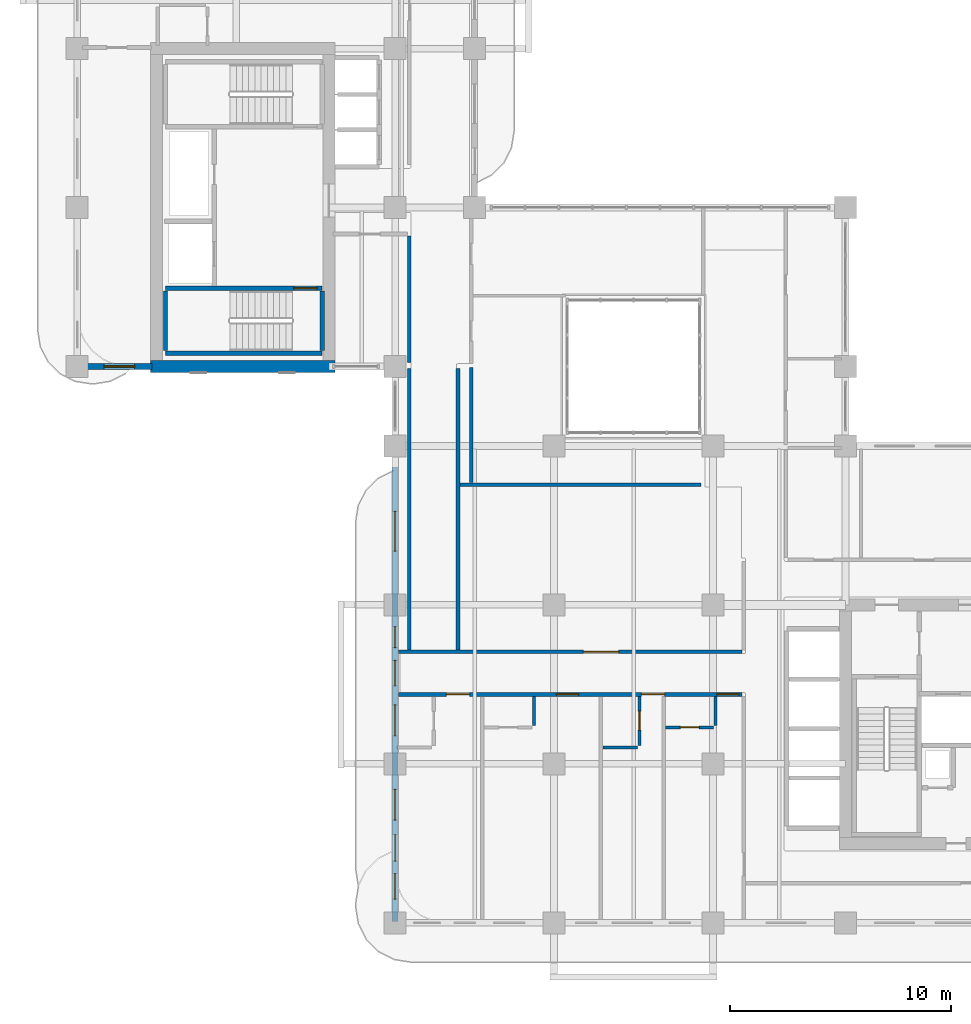
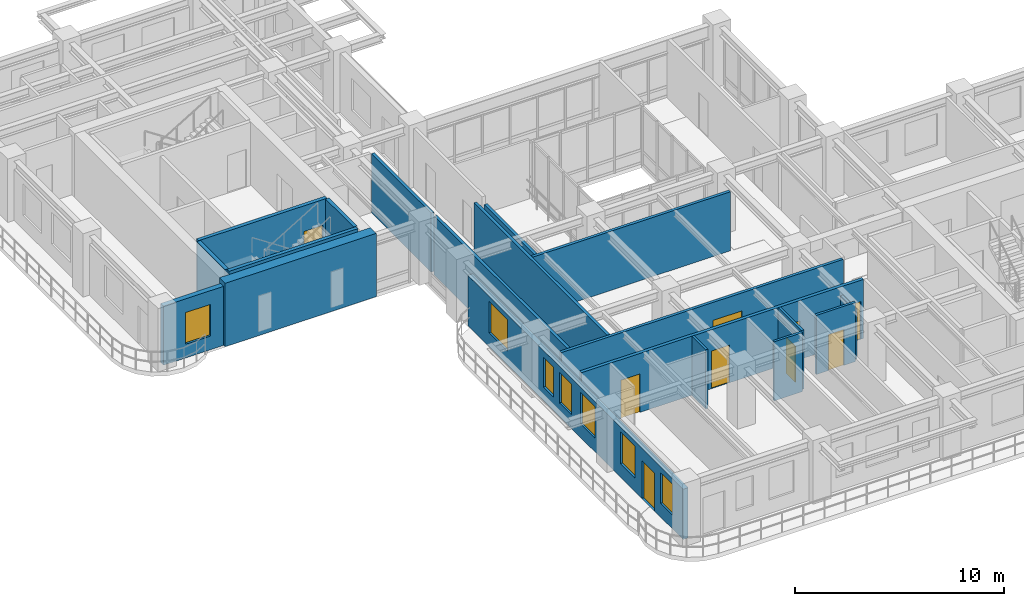
# One storey, part 11 of 20: 19 walls, 9 doors, 7 windows, 16 openings.
"""IFC4 building model written with IfcOpenShell, lengths in metres."""

from ifc_helpers import new_model, si_unit, derived_unit, direction, frame, frame_2d, origin, place, context, subcontext, project, spatial, rectangle, extrude, source, transform, mapped, material, layer, layer_set, type_object, type_shapes, element, fill, save


model = new_model("IFC4")

# Units and contexts
model_context = context("Model", 3, precision=1e-05, world=origin(), true_north=direction((0.0, 1.0)))
body_context = subcontext(model_context, "Body", "Model", "MODEL_VIEW")
ifc_project = project(units=[si_unit("LENGTHUNIT", "METRE"), si_unit("AREAUNIT", "SQUARE_METRE"), si_unit("VOLUMEUNIT", "CUBIC_METRE"), si_unit("PLANEANGLEUNIT", "RADIAN"), si_unit("MASSUNIT", "GRAM", prefix="KILO"), si_unit("THERMODYNAMICTEMPERATUREUNIT", "KELVIN"), si_unit("POWERUNIT", "WATT"), derived_unit("THERMALTRANSMITTANCEUNIT", [(si_unit("POWERUNIT", "WATT"), 1), (si_unit("AREAUNIT", "SQUARE_METRE"), -1), (si_unit("THERMODYNAMICTEMPERATUREUNIT", "KELVIN"), -1)])], contexts=[model_context])

# Site, building, storey
site_placement = place(None, origin())
site = spatial("IfcSite", under=ifc_project, at=site_placement, CompositionType="ELEMENT")
building_placement = place(site_placement, origin())
building = spatial("IfcBuilding", under=site, at=building_placement, Name="Zahravan Archway Hotel and Residences", CompositionType="ELEMENT")
storey_placement = place(building_placement, frame((0.0, 0.0, 119.199951171875)))
storey = spatial("IfcBuildingStorey", under=building, at=storey_placement, Name="L29", CompositionType="ELEMENT", Elevation=119.199951171875)

# Wall
ifc_material_1 = material(Name="Concrete C70/85", Category="concrete")
ifc_layer_1 = layer(ifc_material_1, 0.550048828125, Name="Concrete C70/85", Category="concrete")
ifc_layer_set_1 = layer_set([ifc_layer_1], Name="Concrete C70/85")
wall_type_1 = type_object("IfcWallType", Name="CW-CORE-550", PredefinedType="SHEAR", material=ifc_layer_set_1)
wall_1_placement = place(storey_placement, frame((3.324951171875, 25.199951171875, 0.0), z_axis=(0.0, 0.0, 1.0), x_axis=(1.0, 0.0, 0.0)))
element("IfcWall", 1, at=wall_1_placement, inside=storey, type_object=wall_type_1, Name="L29 Core B Shear S Wall 550 mm", PredefinedType="SHEAR", context=body_context, shape_type="SweptSolid", body=[
    extrude(rectangle(XDim=8.35009765625, YDim=0.550048828125, at=frame_2d((4.175048828125, 0.0))), origin(), (0.0, 0.0, 1.0), 3.699951171875),
])

# Wall, openings, door, windows
ifc_material_2 = material(Name="Honed Red-Ochre Sandstone & Insulated Block", Category="masonry")
ifc_layer_2 = layer(ifc_material_2, 0.280029296875, Name="Honed Red-Ochre Sandstone & Insulated Block", Category="masonry")
ifc_layer_set_2 = layer_set([ifc_layer_2], Name="Honed Red-Ochre Sandstone & Insulated Block")
wall_type_2 = type_object("IfcWallType", Name="EW-LOG-280", PredefinedType="SOLIDWALL", material=ifc_layer_set_2)
wall_2_placement = place(storey_placement, frame((14.39990234375, 0.050048828125, 0.0), z_axis=(0.0, 0.0, 1.0), x_axis=(0.0, 1.0, 0.0)))
wall_2 = element("IfcWall", 2, at=wall_2_placement, inside=storey, type_object=wall_type_2, Name="L29 Exterior Sandstone Wall WA-WL", PredefinedType="SOLIDWALL", context=body_context, shape_type="SweptSolid", body=[
    extrude(rectangle(XDim=20.599853515625, YDim=0.280029296875, at=frame_2d((10.2998046875, 0.0))), origin(), (0.0, 0.0, 1.0), 2.93505859375),
])
opening_1_placement = place(wall_2_placement, frame((2.75, 0.0, 0.0)))
opening_1 = element("IfcOpeningElement", 3, at=opening_1_placement, cuts=wall_2, Name="Opening ED-BL1", PredefinedType="OPENING", context=body_context, shape_type="SweptSolid", body=[
    extrude(rectangle(XDim=1.199951171875, YDim=2.199951171875, at=frame_2d((0.60009765625, 1.10009765625))), frame((0.0, 0.14990234375, 0.0), z_axis=(0.0, -1.0, 0.0), x_axis=(1.0, 0.0, 0.0)), (0.0, 0.0, 1.0), 0.300048828125),
])
opening_2_placement = place(wall_2_placement, frame((1.02490234375, 0.0, 0.800048828125)))
opening_2 = element("IfcOpeningElement", 4, at=opening_2_placement, cuts=wall_2, Name="Opening W-05", PredefinedType="OPENING", context=body_context, shape_type="SweptSolid", body=[
    extrude(rectangle(XDim=1.14990234375, YDim=1.800048828125, at=frame_2d((0.574951171875, 0.89990234375))), frame((0.0, 0.14990234375, 0.0), z_axis=(0.0, -1.0, 0.0), x_axis=(1.0, 0.0, 0.0)), (0.0, 0.0, 1.0), 0.300048828125),
])
opening_3_placement = place(wall_2_placement, frame((4.60009765625, 0.0, 0.800048828125)))
opening_3 = element("IfcOpeningElement", 5, at=opening_3_placement, cuts=wall_2, Name="Opening W-03", PredefinedType="OPENING", context=body_context, shape_type="SweptSolid", body=[
    extrude(rectangle(XDim=1.39990234375, YDim=1.85009765625, at=frame_2d((0.699951171875, 0.925048828125))), frame((0.0, 0.14990234375, 0.0), z_axis=(0.0, -1.0, 0.0), x_axis=(1.0, 0.0, 0.0)), (0.0, 0.0, 1.0), 0.300048828125),
])
opening_4_placement = place(wall_2_placement, frame((8.4208984375, 0.0, 0.800048828125)))
opening_4 = element("IfcOpeningElement", 6, at=opening_4_placement, cuts=wall_2, Name="Opening W-03", PredefinedType="OPENING", context=body_context, shape_type="SweptSolid", body=[
    extrude(rectangle(XDim=1.39990234375, YDim=1.85009765625, at=frame_2d((0.699951171875, 0.925048828125))), frame((0.0, 0.14990234375, 0.0), z_axis=(0.0, -1.0, 0.0), x_axis=(1.0, 0.0, 0.0)), (0.0, 0.0, 1.0), 0.300048828125),
])
opening_5_placement = place(wall_2_placement, frame((10.68505859375, 0.0, 0.800048828125)))
opening_5 = element("IfcOpeningElement", 7, at=opening_5_placement, cuts=wall_2, Name="Opening W-05", PredefinedType="OPENING", context=body_context, shape_type="SweptSolid", body=[
    extrude(rectangle(XDim=1.14990234375, YDim=1.800048828125, at=frame_2d((0.574951171875, 0.89990234375))), frame((0.0, 0.14990234375, 0.0), z_axis=(0.0, -1.0, 0.0), x_axis=(1.0, 0.0, 0.0)), (0.0, 0.0, 1.0), 0.300048828125),
])
opening_6_placement = place(wall_2_placement, frame((12.4140625, 0.0, 0.800048828125)))
opening_6 = element("IfcOpeningElement", 8, at=opening_6_placement, cuts=wall_2, Name="Opening W-04", PredefinedType="OPENING", context=body_context, shape_type="SweptSolid", body=[
    extrude(rectangle(XDim=0.949951171875, YDim=1.75, at=frame_2d((0.47509765625, 0.875))), frame((0.0, 0.14990234375, 0.0), z_axis=(0.0, -1.0, 0.0), x_axis=(1.0, 0.0, 0.0)), (0.0, 0.0, 1.0), 0.300048828125),
])
opening_7_placement = place(wall_2_placement, frame((16.7900390625, 0.0, 0.800048828125)))
opening_7 = element("IfcOpeningElement", 9, at=opening_7_placement, cuts=wall_2, Name="Opening W-02", PredefinedType="OPENING", context=body_context, shape_type="SweptSolid", body=[
    extrude(rectangle(XDim=1.800048828125, YDim=1.85009765625, at=frame_2d((0.89990234375, 0.925048828125))), frame((0.0, 0.14990234375, 0.0), z_axis=(0.0, -1.0, 0.0), x_axis=(1.0, 0.0, 0.0)), (0.0, 0.0, 1.0), 0.300048828125),
])
ifc_material_3 = material(Name="Bronze-Anodized Glazed Aluminium", Category="aluminium")
door_type_1 = type_object("IfcDoorType", Name="ED-BALC-1200", OperationType="SLIDING_TO_LEFT", PredefinedType="DOOR", material=ifc_material_3)
shared_shape_1 = source(origin(), body_context, "Body", "SweptSolid", [
    extrude(rectangle(XDim=1.199951171875, YDim=2.199951171875, at=frame_2d((0.60009765625, 1.10009765625))), frame((0.0, 0.02490234375, 0.0), z_axis=(0.0, -1.0, 0.0), x_axis=(1.0, 0.0, 0.0)), (0.0, 0.0, 1.0), 0.050048828125),
])
type_shapes(door_type_1, [shared_shape_1])
door_1_placement = place(opening_1_placement, origin())
door_1 = element("IfcDoor", 10, at=door_1_placement, inside=storey, type_object=door_type_1, Name="L29 Outdoor Access Sliding Door (SLB-BAL-L29-WA)", OperationType="SLIDING_TO_LEFT", OverallHeight=2.199951171875, OverallWidth=1.199951171875, PredefinedType="DOOR", context=body_context, shape_type="MappedRepresentation", body=[
    mapped(shared_shape_1, transform((0.0, 0.0, 0.0), scale=1.0)),
])
fill(opening_1, door_1)
ifc_material_4 = material(Name="Bronze-Anodized Thermal-Break Aluminium & Low-E Glass", Category="aluminium")
window_type_1 = type_object("IfcWindowType", Name="WIN-TWR-1400", PartitioningType="SINGLE_PANEL", PredefinedType="WINDOW", material=ifc_material_4)
shared_shape_2 = source(origin(), body_context, "Body", "SweptSolid", [
    extrude(rectangle(XDim=1.39990234375, YDim=1.85009765625, at=frame_2d((0.699951171875, 0.925048828125))), frame((0.0, 0.030029296875, 0.0), z_axis=(0.0, -1.0, 0.0), x_axis=(1.0, 0.0, 0.0)), (0.0, 0.0, 1.0), 0.06005859375),
])
type_shapes(window_type_1, [shared_shape_2])
window_1_placement = place(opening_3_placement, origin())
window_1 = element("IfcWindow", 11, at=window_1_placement, inside=storey, type_object=window_type_1, Name="L29 Loggia Window 17", OverallHeight=1.85009765625, OverallWidth=1.39990234375, PartitioningType="SINGLE_PANEL", PredefinedType="WINDOW", context=body_context, shape_type="MappedRepresentation", body=[
    mapped(shared_shape_2, transform((0.0, 0.0, 0.0), scale=1.0)),
])
fill(opening_3, window_1)
window_2_placement = place(opening_4_placement, origin())
window_2 = element("IfcWindow", 12, at=window_2_placement, inside=storey, type_object=window_type_1, Name="L29 Loggia Window 18", OverallHeight=1.85009765625, OverallWidth=1.39990234375, PartitioningType="SINGLE_PANEL", PredefinedType="WINDOW", context=body_context, shape_type="MappedRepresentation", body=[
    mapped(shared_shape_2, transform((0.0, 0.0, 0.0), scale=1.0)),
])
fill(opening_4, window_2)
window_type_2 = type_object("IfcWindowType", Name="WIN-NAR-950", PartitioningType="SINGLE_PANEL", PredefinedType="WINDOW", material=ifc_material_4)
shared_shape_3 = source(origin(), body_context, "Body", "SweptSolid", [
    extrude(rectangle(XDim=0.949951171875, YDim=1.75, at=frame_2d((0.47509765625, 0.875))), frame((0.0, 0.030029296875, 0.0), z_axis=(0.0, -1.0, 0.0), x_axis=(1.0, 0.0, 0.0)), (0.0, 0.0, 1.0), 0.06005859375),
])
type_shapes(window_type_2, [shared_shape_3])
window_3_placement = place(opening_6_placement, origin())
window_3 = element("IfcWindow", 13, at=window_3_placement, inside=storey, type_object=window_type_2, Name="L29 Loggia Window 20", OverallHeight=1.75, OverallWidth=0.949951171875, PartitioningType="SINGLE_PANEL", PredefinedType="WINDOW", context=body_context, shape_type="MappedRepresentation", body=[
    mapped(shared_shape_3, transform((0.0, 0.0, 0.0), scale=1.0)),
])
fill(opening_6, window_3)
window_type_3 = type_object("IfcWindowType", Name="WIN-TWR-1800", PartitioningType="DOUBLE_PANEL_VERTICAL", PredefinedType="WINDOW", material=ifc_material_4)
shared_shape_4 = source(origin(), body_context, "Body", "SweptSolid", [
    extrude(rectangle(XDim=1.800048828125, YDim=1.85009765625, at=frame_2d((0.89990234375, 0.925048828125))), frame((0.0, 0.030029296875, 0.0), z_axis=(0.0, -1.0, 0.0), x_axis=(1.0, 0.0, 0.0)), (0.0, 0.0, 1.0), 0.06005859375),
])
type_shapes(window_type_3, [shared_shape_4])
window_4_placement = place(opening_7_placement, origin())
window_4 = element("IfcWindow", 14, at=window_4_placement, inside=storey, type_object=window_type_3, Name="L29 Loggia Window 21", OverallHeight=1.85009765625, OverallWidth=1.800048828125, PartitioningType="DOUBLE_PANEL_VERTICAL", PredefinedType="WINDOW", context=body_context, shape_type="MappedRepresentation", body=[
    mapped(shared_shape_4, transform((0.0, 0.0, 0.0), scale=1.0)),
])
fill(opening_7, window_4)
window_type_4 = type_object("IfcWindowType", Name="WIN-TWR-1150", PartitioningType="SINGLE_PANEL", PredefinedType="WINDOW", material=ifc_material_4)
shared_shape_5 = source(origin(), body_context, "Body", "SweptSolid", [
    extrude(rectangle(XDim=1.14990234375, YDim=1.800048828125, at=frame_2d((0.574951171875, 0.89990234375))), frame((0.0, 0.030029296875, 0.0), z_axis=(0.0, -1.0, 0.0), x_axis=(1.0, 0.0, 0.0)), (0.0, 0.0, 1.0), 0.06005859375),
])
type_shapes(window_type_4, [shared_shape_5])
window_5_placement = place(opening_2_placement, origin())
window_5 = element("IfcWindow", 15, at=window_5_placement, inside=storey, type_object=window_type_4, Name="L29 Loggia Window 16", OverallHeight=1.800048828125, OverallWidth=1.14990234375, PartitioningType="SINGLE_PANEL", PredefinedType="WINDOW", context=body_context, shape_type="MappedRepresentation", body=[
    mapped(shared_shape_5, transform((0.0, 0.0, 0.0), scale=1.0)),
])
fill(opening_2, window_5)
window_6_placement = place(opening_5_placement, origin())
window_6 = element("IfcWindow", 16, at=window_6_placement, inside=storey, type_object=window_type_4, Name="L29 Loggia Window 19", OverallHeight=1.800048828125, OverallWidth=1.14990234375, PartitioningType="SINGLE_PANEL", PredefinedType="WINDOW", context=body_context, shape_type="MappedRepresentation", body=[
    mapped(shared_shape_5, transform((0.0, 0.0, 0.0), scale=1.0)),
])
fill(opening_5, window_6)

# Wall, opening, window
wall_3_placement = place(storey_placement, frame((0.0, 25.199951171875, 0.0), z_axis=(0.0, 0.0, 1.0), x_axis=(1.0, 0.0, 0.0)))
wall_3 = element("IfcWall", 17, at=wall_3_placement, inside=storey, type_object=wall_type_2, Name="L29 Exterior Sandstone Wall WB-SW", PredefinedType="SOLIDWALL", context=body_context, shape_type="SweptSolid", body=[
    extrude(rectangle(XDim=3.3798828125, YDim=0.280029296875, at=frame_2d((1.68994140625, 0.0))), origin(), (0.0, 0.0, 1.0), 3.449951171875),
])
opening_8_placement = place(wall_3_placement, frame((1.205078125, 0.0, 0.800048828125)))
opening_8 = element("IfcOpeningElement", 18, at=opening_8_placement, cuts=wall_3, Name="Opening W-03", PredefinedType="OPENING", context=body_context, shape_type="SweptSolid", body=[
    extrude(rectangle(XDim=1.39990234375, YDim=1.85009765625, at=frame_2d((0.699951171875, 0.925048828125))), frame((0.0, 0.14990234375, 0.0), z_axis=(0.0, -1.0, 0.0), x_axis=(1.0, 0.0, 0.0)), (0.0, 0.0, 1.0), 0.300048828125),
])
window_7_placement = place(opening_8_placement, origin())
window_7 = element("IfcWindow", 19, at=window_7_placement, inside=storey, type_object=window_type_1, Name="L29 Loggia Window 22", OverallHeight=1.85009765625, OverallWidth=1.39990234375, PartitioningType="SINGLE_PANEL", PredefinedType="WINDOW", context=body_context, shape_type="MappedRepresentation", body=[
    mapped(shared_shape_2, transform((0.0, 0.0, 0.0), scale=1.0)),
])
fill(opening_8, window_7)

# Wall, opening, door
ifc_material_5 = material(Name="Fire-Rated Gypsum & Concrete Block", Category="concrete")
ifc_layer_3 = layer(ifc_material_5, 0.159912109375, Name="Fire-Rated Gypsum & Concrete Block", Category="concrete")
ifc_layer_set_3 = layer_set([ifc_layer_3], Name="Fire-Rated Gypsum & Concrete Block")
wall_type_3 = type_object("IfcWallType", Name="PW-CORR-160", PredefinedType="PARTITIONING", material=ifc_layer_set_3)
wall_4_placement = place(storey_placement, frame((14.548095703125, 12.27001953125, 0.0), z_axis=(0.0, 0.0, 1.0), x_axis=(1.0, 0.0, 0.0)))
wall_4 = element("IfcWall", 20, at=wall_4_placement, inside=storey, type_object=wall_type_3, Name="L29 Partition WA-CN", PredefinedType="PARTITIONING", context=body_context, shape_type="SweptSolid", body=[
    extrude(rectangle(XDim=15.56201171875, YDim=0.159912109375, at=frame_2d((7.781005859375, 0.0))), origin(), (0.0, 0.0, 1.0), 3.449951171875),
])
opening_9_placement = place(wall_4_placement, frame((8.376953125, 0.0, 0.0)))
opening_9 = element("IfcOpeningElement", 21, at=opening_9_placement, cuts=wall_4, Name="Opening D-P2", PredefinedType="OPENING", context=body_context, shape_type="SweptSolid", body=[
    extrude(rectangle(XDim=1.60009765625, YDim=2.39990234375, at=frame_2d((0.800048828125, 1.199951171875))), frame((0.0, 0.08984375, 0.0), z_axis=(0.0, -1.0, 0.0), x_axis=(1.0, 0.0, 0.0)), (0.0, 0.0, 1.0), 0.179931640625),
])
door_type_2 = type_object("IfcDoorType", Name="ID-PUBLIC-1600", OperationType="DOUBLE_DOOR_SINGLE_SWING", PredefinedType="DOOR", material=ifc_material_3)
shared_shape_6 = source(origin(), body_context, "Body", "SweptSolid", [
    extrude(rectangle(XDim=1.60009765625, YDim=2.39990234375, at=frame_2d((0.800048828125, 1.199951171875))), frame((0.0, 0.02490234375, 0.0), z_axis=(0.0, -1.0, 0.0), x_axis=(1.0, 0.0, 0.0)), (0.0, 0.0, 1.0), 0.050048828125),
])
type_shapes(door_type_2, [shared_shape_6])
door_2_placement = place(opening_9_placement, origin())
door_2 = element("IfcDoor", 22, at=door_2_placement, inside=storey, type_object=door_type_2, Name="L29 Atrium Spa Door", OperationType="DOUBLE_DOOR_SINGLE_SWING", OverallHeight=2.39990234375, OverallWidth=1.60009765625, PredefinedType="DOOR", context=body_context, shape_type="MappedRepresentation", body=[
    mapped(shared_shape_6, transform((0.0, 0.0, 0.0), scale=1.0)),
])
fill(opening_9, door_2)

# Walls
for number, where, z_axis, x_axis, name in (
    (23, (15.050048828125, 12.360107421875, 0.0), (0.0, 0.0, 1.0), (0.0, 1.0, 0.0), "L29 Partition LNK-W"),
    (24, (17.25, 12.360107421875, 0.0), (0.0, 0.0, 1.0), (0.0, 1.0, 0.0), "L29 Partition LNK-E"),
):
    element("IfcWall", number, at=place(storey_placement, frame(where, z_axis=z_axis, x_axis=x_axis)), inside=storey, type_object=wall_type_3, Name=name, PredefinedType="PARTITIONING", context=body_context, shape_type="SweptSolid", body=[
        extrude(rectangle(XDim=12.75, YDim=0.159912109375, at=frame_2d((6.375, 0.0))), origin(), (0.0, 0.0, 1.0), 3.449951171875),
    ])
wall_5_placement = place(storey_placement, frame((15.050048828125, 25.389892578125, 0.0), z_axis=(0.0, 0.0, 1.0), x_axis=(0.0, 1.0, 0.0)))
element("IfcWall", 25, at=wall_5_placement, inside=storey, type_object=wall_type_3, Name="L29 Partition FB1-E", PredefinedType="PARTITIONING", context=body_context, shape_type="SweptSolid", body=[
    extrude(rectangle(XDim=5.72021484375, YDim=0.159912109375, at=frame_2d((2.860107421875, 0.0))), origin(), (0.0, 0.0, 1.0), 3.449951171875),
])
wall_6_placement = place(storey_placement, frame((17.340087890625, 19.85009765625, 0.0), z_axis=(0.0, 0.0, 1.0), x_axis=(1.0, 0.0, 0.0)))
element("IfcWall", 26, at=wall_6_placement, inside=storey, type_object=wall_type_3, Name="L29 Partition ATR-S", PredefinedType="PARTITIONING", context=body_context, shape_type="SweptSolid", body=[
    extrude(rectangle(XDim=10.919921875, YDim=0.159912109375, at=frame_2d((5.4599609375, 0.0))), origin(), (0.0, 0.0, 1.0), 3.449951171875),
])

# Wall, openings, doors
ifc_layer_4 = layer(ifc_material_5, 0.179931640625, Name="Fire-Rated Gypsum & Concrete Block", Category="concrete")
ifc_layer_set_4 = layer_set([ifc_layer_4], Name="Fire-Rated Gypsum & Concrete Block")
wall_type_4 = type_object("IfcWallType", Name="PW-CORR-180", PredefinedType="PARTITIONING", material=ifc_layer_set_4)
wall_7_placement = place(storey_placement, frame((14.548095703125, 10.35009765625, 0.0), z_axis=(0.0, 0.0, 1.0), x_axis=(1.0, 0.0, 0.0)))
wall_7 = element("IfcWall", 27, at=wall_7_placement, inside=storey, type_object=wall_type_4, Name="L29 Partition WA-CS", PredefinedType="PARTITIONING", context=body_context, shape_type="SweptSolid", body=[
    extrude(rectangle(XDim=15.56201171875, YDim=0.179931640625, at=frame_2d((7.781005859375, 0.0))), origin(), (0.0, 0.0, 1.0), 3.449951171875),
])
opening_10_placement = place(wall_7_placement, frame((2.177001953125, 0.0, 0.0)))
opening_10 = element("IfcOpeningElement", 28, at=opening_10_placement, cuts=wall_7, Name="Opening D-U1", PredefinedType="OPENING", context=body_context, shape_type="SweptSolid", body=[
    extrude(rectangle(XDim=1.050048828125, YDim=2.25, at=frame_2d((0.52490234375, 1.125))), frame((0.0, 0.10009765625, 0.0), z_axis=(0.0, -1.0, 0.0), x_axis=(1.0, 0.0, 0.0)), (0.0, 0.0, 1.0), 0.199951171875),
])
opening_11_placement = place(wall_7_placement, frame((7.162109375, 0.0, 0.0)))
opening_11 = element("IfcOpeningElement", 29, at=opening_11_placement, cuts=wall_7, Name="Opening D-U2", PredefinedType="OPENING", context=body_context, shape_type="SweptSolid", body=[
    extrude(rectangle(XDim=1.0, YDim=2.199951171875, at=frame_2d((0.5, 1.10009765625))), frame((0.0, 0.10009765625, 0.0), z_axis=(0.0, -1.0, 0.0), x_axis=(1.0, 0.0, 0.0)), (0.0, 0.0, 1.0), 0.199951171875),
])
opening_12_placement = place(wall_7_placement, frame((11.007080078125, 0.0, 0.0)))
opening_12 = element("IfcOpeningElement", 30, at=opening_12_placement, cuts=wall_7, Name="Opening D-U1", PredefinedType="OPENING", context=body_context, shape_type="SweptSolid", body=[
    extrude(rectangle(XDim=1.050048828125, YDim=2.25, at=frame_2d((0.52490234375, 1.125))), frame((0.0, 0.10009765625, 0.0), z_axis=(0.0, -1.0, 0.0), x_axis=(1.0, 0.0, 0.0)), (0.0, 0.0, 1.0), 0.199951171875),
])
opening_13_placement = place(wall_7_placement, frame((14.422119140625, 0.0, 0.0)))
opening_13 = element("IfcOpeningElement", 31, at=opening_13_placement, cuts=wall_7, Name="Opening D-U2", PredefinedType="OPENING", context=body_context, shape_type="SweptSolid", body=[
    extrude(rectangle(XDim=1.0, YDim=2.199951171875, at=frame_2d((0.5, 1.10009765625))), frame((0.0, 0.10009765625, 0.0), z_axis=(0.0, -1.0, 0.0), x_axis=(1.0, 0.0, 0.0)), (0.0, 0.0, 1.0), 0.199951171875),
])
ifc_material_6 = material(Name="Hardwood Veneer Timber", Category="wood")
door_type_3 = type_object("IfcDoorType", Name="ID-UNIT-1050", OperationType="NOTDEFINED", PredefinedType="DOOR", material=ifc_material_6)
shared_shape_7 = source(origin(), body_context, "Body", "SweptSolid", [
    extrude(rectangle(XDim=1.050048828125, YDim=2.25, at=frame_2d((0.52490234375, 1.125))), frame((0.0, 0.02490234375, 0.0), z_axis=(0.0, -1.0, 0.0), x_axis=(1.0, 0.0, 0.0)), (0.0, 0.0, 1.0), 0.050048828125),
])
type_shapes(door_type_3, [shared_shape_7])
door_3_placement = place(opening_10_placement, origin())
door_3 = element("IfcDoor", 32, at=door_3_placement, inside=storey, type_object=door_type_3, Name="L29 Hotel Guestroom 40 Entrance Door", OperationType="SINGLE_SWING_RIGHT", OverallHeight=2.25, OverallWidth=1.050048828125, PredefinedType="DOOR", context=body_context, shape_type="MappedRepresentation", body=[
    mapped(shared_shape_7, transform((0.0, 0.0, 0.0), scale=1.0)),
])
fill(opening_10, door_3)
door_4_placement = place(opening_12_placement, origin())
door_4 = element("IfcDoor", 33, at=door_4_placement, inside=storey, type_object=door_type_3, Name="L29 Hotel Guestroom 42 Entrance Door", OperationType="SINGLE_SWING_RIGHT", OverallHeight=2.25, OverallWidth=1.050048828125, PredefinedType="DOOR", context=body_context, shape_type="MappedRepresentation", body=[
    mapped(shared_shape_7, transform((0.0, 0.0, 0.0), scale=1.0)),
])
fill(opening_12, door_4)
door_type_4 = type_object("IfcDoorType", Name="ID-UNIT-1000", OperationType="NOTDEFINED", PredefinedType="DOOR", material=ifc_material_6)
shared_shape_8 = source(origin(), body_context, "Body", "SweptSolid", [
    extrude(rectangle(XDim=1.0, YDim=2.199951171875, at=frame_2d((0.5, 1.10009765625))), frame((0.0, 0.02490234375, 0.0), z_axis=(0.0, -1.0, 0.0), x_axis=(1.0, 0.0, 0.0)), (0.0, 0.0, 1.0), 0.050048828125),
])
type_shapes(door_type_4, [shared_shape_8])
door_5_placement = place(opening_11_placement, origin())
door_5 = element("IfcDoor", 34, at=door_5_placement, inside=storey, type_object=door_type_4, Name="L29 Hotel Guestroom 41 Entrance Door", OperationType="SINGLE_SWING_RIGHT", OverallHeight=2.199951171875, OverallWidth=1.0, PredefinedType="DOOR", context=body_context, shape_type="MappedRepresentation", body=[
    mapped(shared_shape_8, transform((0.0, 0.0, 0.0), scale=1.0)),
])
fill(opening_11, door_5)
door_6_placement = place(opening_13_placement, origin())
door_6 = element("IfcDoor", 35, at=door_6_placement, inside=storey, type_object=door_type_4, Name="L29 Hotel Guestroom 43 Entrance Door", OperationType="SINGLE_SWING_RIGHT", OverallHeight=2.199951171875, OverallWidth=1.0, PredefinedType="DOOR", context=body_context, shape_type="MappedRepresentation", body=[
    mapped(shared_shape_8, transform((0.0, 0.0, 0.0), scale=1.0)),
])
fill(opening_13, door_6)

# Walls
ifc_material_7 = material(Name="Acoustic Stud Partition")
ifc_layer_5 = layer(ifc_material_7, 0.169921875, Name="Acoustic Stud Partition")
ifc_layer_set_5 = layer_set([ifc_layer_5], Name="Acoustic Stud Partition")
wall_type_5 = type_object("IfcWallType", Name="PW-UNIT-170", PredefinedType="PARTITIONING", material=ifc_layer_set_5)
wall_8_placement = place(storey_placement, frame((17.85009765625, 19.93994140625, 0.0), z_axis=(0.0, 0.0, 1.0), x_axis=(0.0, 1.0, 0.0)))
element("IfcWall", 36, at=wall_8_placement, inside=storey, type_object=wall_type_5, Name="L29 Partition ATR-NWSL", PredefinedType="PARTITIONING", context=body_context, shape_type="SweptSolid", body=[
    extrude(rectangle(XDim=5.219970703125, YDim=0.169921875, at=frame_2d((2.60986328125, 0.0))), origin(), (0.0, 0.0, 1.0), 3.10498046875),
])
ifc_material_8 = material(Name="Moisture-Resistant Blockwork", Category="masonry")
ifc_layer_6 = layer(ifc_material_8, 0.139892578125, Name="Moisture-Resistant Blockwork", Category="masonry")
ifc_layer_set_6 = layer_set([ifc_layer_6], Name="Moisture-Resistant Blockwork")
wall_type_6 = type_object("IfcWallType", Name="PW-WET-140", PredefinedType="PARTITIONING", material=ifc_layer_set_6)
wall_9_placement = place(storey_placement, frame((20.699951171875, 8.93994140625, 0.0), z_axis=(0.0, 0.0, 1.0), x_axis=(0.0, 1.0, 0.0)))
element("IfcWall", 37, at=wall_9_placement, inside=storey, type_object=wall_type_6, Name="L29 Partition HKB-V41", PredefinedType="PARTITIONING", context=body_context, shape_type="SweptSolid", body=[
    extrude(rectangle(XDim=1.320068359375, YDim=0.139892578125, at=frame_2d((0.66015625, 0.0))), origin(), (0.0, 0.0, 1.0), 3.449951171875),
])

# Wall, opening, door
wall_10_placement = place(storey_placement, frame((25.469970703125, 8.0400390625, 0.0), z_axis=(0.0, 0.0, 1.0), x_axis=(0.0, 1.0, 0.0)))
wall_10 = element("IfcWall", 38, at=wall_10_placement, inside=storey, type_object=wall_type_6, Name="L29 Partition HKB-V42", PredefinedType="PARTITIONING", context=body_context, shape_type="SweptSolid", body=[
    extrude(rectangle(XDim=2.219970703125, YDim=0.139892578125, at=frame_2d((1.10986328125, 0.0))), origin(), (0.0, 0.0, 1.0), 3.449951171875),
])
opening_14_placement = place(wall_10_placement, frame((0.68505859375, 0.0, 0.0)))
opening_14 = element("IfcOpeningElement", 39, at=opening_14_placement, cuts=wall_10, Name="Opening D-B1", PredefinedType="OPENING", context=body_context, shape_type="SweptSolid", body=[
    extrude(rectangle(XDim=0.85009765625, YDim=2.10009765625, at=frame_2d((0.425048828125, 1.050048828125))), frame((0.0, 0.080078125, 0.0), z_axis=(0.0, -1.0, 0.0), x_axis=(1.0, 0.0, 0.0)), (0.0, 0.0, 1.0), 0.159912109375),
])
door_type_5 = type_object("IfcDoorType", Name="ID-BATH-850", OperationType="NOTDEFINED", PredefinedType="DOOR", material=ifc_material_6)
shared_shape_9 = source(origin(), body_context, "Body", "SweptSolid", [
    extrude(rectangle(XDim=0.85009765625, YDim=2.10009765625, at=frame_2d((0.425048828125, 1.050048828125))), frame((0.0, 0.02490234375, 0.0), z_axis=(0.0, -1.0, 0.0), x_axis=(1.0, 0.0, 0.0)), (0.0, 0.0, 1.0), 0.050048828125),
])
type_shapes(door_type_5, [shared_shape_9])
door_7_placement = place(opening_14_placement, origin())
door_7 = element("IfcDoor", 40, at=door_7_placement, inside=storey, type_object=door_type_5, Name="L29 Guestroom 42 En-Suite Door", OperationType="SINGLE_SWING_LEFT", OverallHeight=2.10009765625, OverallWidth=0.85009765625, PredefinedType="DOOR", context=body_context, shape_type="MappedRepresentation", body=[
    mapped(shared_shape_9, transform((0.0, 0.0, 0.0), scale=1.0)),
])
fill(opening_14, door_7)

# Walls
wall_11_placement = place(storey_placement, frame((23.81005859375, 7.949951171875, 0.0), z_axis=(0.0, 0.0, 1.0), x_axis=(1.0, 0.0, 0.0)))
element("IfcWall", 41, at=wall_11_placement, inside=storey, type_object=wall_type_6, Name="L29 Partition HKB-H42", PredefinedType="PARTITIONING", context=body_context, shape_type="SweptSolid", body=[
    extrude(rectangle(XDim=1.56982421875, YDim=0.139892578125, at=frame_2d((0.784912109375, 0.0))), origin(), (0.0, 0.0, 1.0), 3.449951171875),
])
wall_12_placement = place(storey_placement, frame((28.919921875, 8.93994140625, 0.0), z_axis=(0.0, 0.0, 1.0), x_axis=(0.0, 1.0, 0.0)))
element("IfcWall", 42, at=wall_12_placement, inside=storey, type_object=wall_type_6, Name="L29 Partition HKB-V43", PredefinedType="PARTITIONING", context=body_context, shape_type="SweptSolid", body=[
    extrude(rectangle(XDim=1.320068359375, YDim=0.139892578125, at=frame_2d((0.66015625, 0.0))), origin(), (0.0, 0.0, 1.0), 2.93505859375),
])

# Wall, opening, door
wall_13_placement = place(storey_placement, frame((26.659912109375, 8.85009765625, 0.0), z_axis=(0.0, 0.0, 1.0), x_axis=(1.0, 0.0, 0.0)))
wall_13 = element("IfcWall", 43, at=wall_13_placement, inside=storey, type_object=wall_type_6, Name="L29 Partition HKB-H43", PredefinedType="PARTITIONING", context=body_context, shape_type="SweptSolid", body=[
    extrude(rectangle(XDim=2.170166015625, YDim=0.139892578125, at=frame_2d((1.0849609375, 0.0))), origin(), (0.0, 0.0, 1.0), 3.449951171875),
])
opening_15_placement = place(wall_13_placement, frame((0.659912109375, 0.0, 0.0)))
opening_15 = element("IfcOpeningElement", 44, at=opening_15_placement, cuts=wall_13, Name="Opening D-B1", PredefinedType="OPENING", context=body_context, shape_type="SweptSolid", body=[
    extrude(rectangle(XDim=0.85009765625, YDim=2.10009765625, at=frame_2d((0.425048828125, 1.050048828125))), frame((0.0, 0.080078125, 0.0), z_axis=(0.0, -1.0, 0.0), x_axis=(1.0, 0.0, 0.0)), (0.0, 0.0, 1.0), 0.159912109375),
])
door_8_placement = place(opening_15_placement, origin())
door_8 = element("IfcDoor", 45, at=door_8_placement, inside=storey, type_object=door_type_5, Name="L29 Guestroom 43 En-Suite Door", OperationType="SINGLE_SWING_LEFT", OverallHeight=2.10009765625, OverallWidth=0.85009765625, PredefinedType="DOOR", context=body_context, shape_type="MappedRepresentation", body=[
    mapped(shared_shape_9, transform((0.0, 0.0, 0.0), scale=1.0)),
])
fill(opening_15, door_8)

# Walls
ifc_material_9 = material(Name="Concrete C50/60", Category="concrete")
ifc_layer_7 = layer(ifc_material_9, 0.199951171875, Name="Concrete C50/60", Category="concrete")
ifc_layer_set_7 = layer_set([ifc_layer_7], Name="Concrete C50/60")
wall_type_7 = type_object("IfcWallType", Name="SW-STAIR-200", PredefinedType="SHEAR", material=ifc_layer_set_7)
wall_14_placement = place(storey_placement, frame((4.0, 25.800048828125, 0.0), z_axis=(0.0, 0.0, 1.0), x_axis=(1.0, 0.0, 0.0)))
element("IfcWall", 46, at=wall_14_placement, inside=storey, type_object=wall_type_7, Name="L29 Stairwell RC Wall CB-SB1S", PredefinedType="SHEAR", context=body_context, shape_type="SweptSolid", body=[
    extrude(rectangle(XDim=7.10009765625, YDim=0.199951171875, at=frame_2d((3.550048828125, 0.0))), origin(), (0.0, 0.0, 1.0), 3.699951171875),
])
for number, where, z_axis, x_axis, name in (
    (47, (4.0, 25.919921875, 0.0), (0.0, 0.0, 1.0), (0.0, 1.0, 0.0), "L29 Stairwell RC Wall CB-SB1W"),
    (48, (11.10009765625, 25.919921875, 0.0), (0.0, 0.0, 1.0), (0.0, 1.0, 0.0), "L29 Stairwell RC Wall CB-SB1E"),
):
    element("IfcWall", number, at=place(storey_placement, frame(where, z_axis=z_axis, x_axis=x_axis)), inside=storey, type_object=wall_type_7, Name=name, PredefinedType="SHEAR", context=body_context, shape_type="SweptSolid", body=[
        extrude(rectangle(XDim=2.7001953125, YDim=0.199951171875, at=frame_2d((1.35009765625, 0.0))), origin(), (0.0, 0.0, 1.0), 3.699951171875),
    ])

# Wall, opening, door
wall_15_placement = place(storey_placement, frame((4.0, 28.739990234375, 0.0), z_axis=(0.0, 0.0, 1.0), x_axis=(1.0, 0.0, 0.0)))
wall_15 = element("IfcWall", 49, at=wall_15_placement, inside=storey, type_object=wall_type_7, Name="L29 Stairwell RC Wall CB-SB1N", PredefinedType="SHEAR", context=body_context, shape_type="SweptSolid", body=[
    extrude(rectangle(XDim=7.10009765625, YDim=0.199951171875, at=frame_2d((3.550048828125, 0.0))), origin(), (0.0, 0.0, 1.0), 3.699951171875),
])
opening_16_placement = place(wall_15_placement, frame((5.81494140625, 0.0, 0.0)))
opening_16 = element("IfcOpeningElement", 50, at=opening_16_placement, cuts=wall_15, Name="Opening FD-S1", PredefinedType="OPENING", context=body_context, shape_type="SweptSolid", body=[
    extrude(rectangle(XDim=1.050048828125, YDim=2.199951171875, at=frame_2d((0.52490234375, 1.10009765625))), frame((0.0, 0.10986328125, 0.0), z_axis=(0.0, -1.0, 0.0), x_axis=(1.0, 0.0, 0.0)), (0.0, 0.0, 1.0), 0.219970703125),
])
ifc_material_10 = material(Name="Fire-Rated Painted Steel", Category="steel")
door_type_6 = type_object("IfcDoorType", Name="FD-STAIR-1100", OperationType="NOTDEFINED", PredefinedType="DOOR", material=ifc_material_10)
shared_shape_10 = source(origin(), body_context, "Body", "SweptSolid", [
    extrude(rectangle(XDim=1.050048828125, YDim=2.199951171875, at=frame_2d((0.52490234375, 1.10009765625))), frame((0.0, 0.02490234375, 0.0), z_axis=(0.0, -1.0, 0.0), x_axis=(1.0, 0.0, 0.0)), (0.0, 0.0, 1.0), 0.050048828125),
])
type_shapes(door_type_6, [shared_shape_10])
door_9_placement = place(opening_16_placement, origin())
door_9 = element("IfcDoor", 51, at=door_9_placement, inside=storey, type_object=door_type_6, Name="L29 Stair ST-B1 Door", OperationType="SINGLE_SWING_RIGHT", OverallHeight=2.199951171875, OverallWidth=1.050048828125, PredefinedType="DOOR", context=body_context, shape_type="MappedRepresentation", body=[
    mapped(shared_shape_10, transform((0.0, 0.0, 0.0), scale=1.0)),
])
fill(opening_16, door_9)

save(model, "model.ifc")
